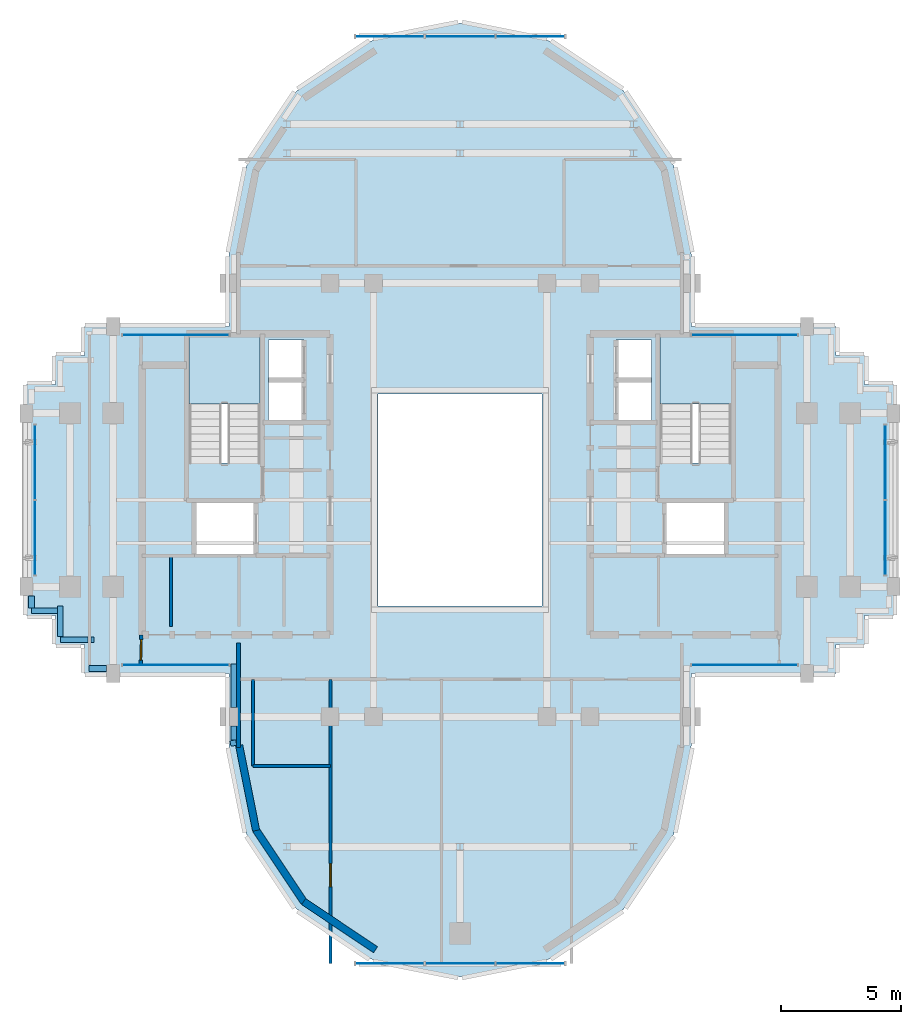
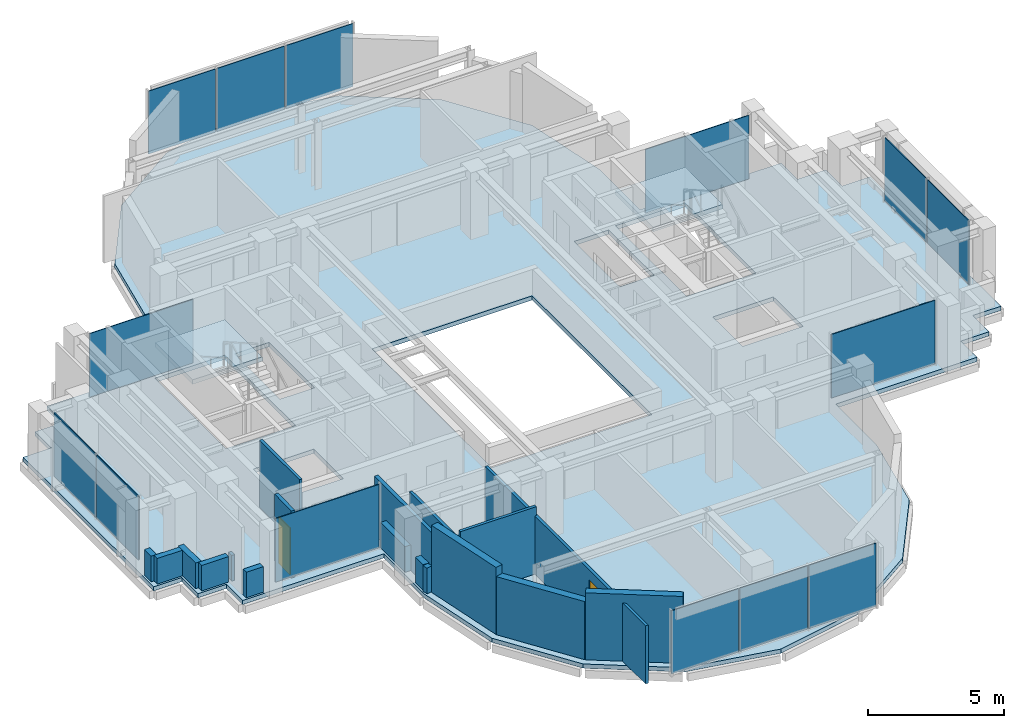
# One storey, part 7 of 12: 18 walls, 14 plates, 3 slabs, 2 doors, 2 openings, 10 elements without a shape of their own.
"""IFC4 building model written with IfcOpenShell, lengths in metres."""

from ifc_helpers import new_model, si_unit, direction, frame, frame_2d, origin, origin_2d, place, context, subcontext, project, spatial, polyline, rectangle, outline, extrude, source, transform, mapped, material, layer, layer_set, type_object, element, fill, aggregate, save


model = new_model("IFC4")

# Units and contexts
model_context = context("Model", 3, precision=1e-05, world=origin(), true_north=direction((0.0, 1.0)))
body_context = subcontext(model_context, "Body", "Model", "MODEL_VIEW")
ifc_project = project(units=[si_unit("LENGTHUNIT", "METRE"), si_unit("AREAUNIT", "SQUARE_METRE"), si_unit("VOLUMEUNIT", "CUBIC_METRE"), si_unit("PLANEANGLEUNIT", "RADIAN"), si_unit("MASSUNIT", "GRAM", prefix="KILO")], contexts=[model_context])

# Site, building, storey
site_placement = place(None, origin())
site = spatial("IfcSite", under=ifc_project, at=site_placement, CompositionType="ELEMENT")
building_placement = place(site_placement, origin())
building = spatial("IfcBuilding", under=site, at=building_placement, Name="Keilestroom Media Tower", CompositionType="ELEMENT")
storey_placement = place(building_placement, frame((0.0, 0.0, 226.800048828125)))
storey = spatial("IfcBuildingStorey", under=building, at=storey_placement, Name="L62", CompositionType="ELEMENT", Elevation=226.800048828125)

# Slab
ifc_material_1 = material(Name="Concrete C50/60", Category="concrete")
ifc_layer_1 = layer(ifc_material_1, 0.18994140625)
ifc_layer_set_1 = layer_set([ifc_layer_1], Name="Concrete C50/60")
slab_type_1 = type_object("IfcSlabType", Name="Composite-Floor-Slab-190", PredefinedType="FLOOR", material=ifc_layer_set_1)
slab_1_placement = place(storey_placement, frame((0.0, 0.0, -0.18994140625)))
element("IfcSlab", 1, at=slab_1_placement, inside=storey, type_object=slab_type_1, Name="L62 Structural Composite Floor Slab", PredefinedType="FLOOR", context=body_context, shape_type="SweptSolid", body=[
    extrude(outline(polyline([(18.0, -4.800048828125), (18.0, 4.800048828125), (16.800048828125, 4.800048828125), (16.800048828125, 6.0), (15.60009765625, 6.0), (15.60009765625, 7.199951171875), (9.60009765625, 7.199951171875), (9.60009765625, 9.60009765625), (9.60009765625, 10.199951171875), (8.869140625, 13.873779296875), (6.7880859375, 16.98828125), (3.673828125, 19.069091796875), (0.0, 19.800048828125), (-3.673828125, 19.069091796875), (-6.7880859375, 16.98828125), (-8.869140625, 13.873779296875), (-9.60009765625, 10.199951171875), (-9.60009765625, 9.60009765625), (-9.60009765625, 7.199951171875), (-15.60009765625, 7.199951171875), (-15.60009765625, 6.0), (-16.800048828125, 6.0), (-16.800048828125, 4.800048828125), (-18.0, 4.800048828125), (-18.0, -4.800048828125), (-16.800048828125, -4.800048828125), (-16.800048828125, -6.0), (-15.60009765625, -6.0), (-15.60009765625, -7.199951171875), (-9.60009765625, -7.199951171875), (-9.60009765625, -9.60009765625), (-9.60009765625, -10.199951171875), (-8.869140625, -13.873779296875), (-6.7880859375, -16.98828125), (-3.673828125, -19.069091796875), (0.0, -19.800048828125), (3.673828125, -19.069091796875), (6.7880859375, -16.98828125), (8.869140625, -13.873779296875), (9.60009765625, -10.199951171875), (9.60009765625, -9.60009765625), (9.60009765625, -7.199951171875), (15.60009765625, -7.199951171875), (15.60009765625, -6.0), (16.800048828125, -6.0), (16.800048828125, -4.800048828125), (18.0, -4.800048828125)]), holes=[polyline([(-8.300048828125, 1.544921875), (-11.260009765625, 1.544921875), (-11.260009765625, 6.760009765625), (-8.300048828125, 6.760009765625), (-8.300048828125, 1.544921875)]), polyline([(-8.47998046875, -2.280029296875), (-11.050048828125, -2.280029296875), (-11.050048828125, -0.10009765625), (-8.47998046875, -0.10009765625), (-8.47998046875, -2.280029296875)]), polyline([(-6.47998046875, 3.300048828125), (-7.949951171875, 3.300048828125), (-7.949951171875, 6.64990234375), (-6.47998046875, 6.64990234375), (-6.47998046875, 3.300048828125)]), polyline([(3.39990234375, -4.39990234375), (-3.39990234375, -4.39990234375), (-3.39990234375, 4.39990234375), (3.39990234375, 4.39990234375), (3.39990234375, -4.39990234375)]), polyline([(7.949951171875, 3.300048828125), (6.47998046875, 3.300048828125), (6.47998046875, 6.64990234375), (7.949951171875, 6.64990234375), (7.949951171875, 3.300048828125)]), polyline([(11.260009765625, 1.544921875), (8.300048828125, 1.544921875), (8.300048828125, 6.760009765625), (11.260009765625, 6.760009765625), (11.260009765625, 1.544921875)]), polyline([(11.050048828125, -2.280029296875), (8.47998046875, -2.280029296875), (8.47998046875, -0.10009765625), (11.050048828125, -0.10009765625), (11.050048828125, -2.280029296875)])]), origin(), (0.0, 0.0, 1.0), 0.18994140625),
])

# Stair, slab
ifc_material_2 = material(Name="Concrete C45/55", Category="concrete")
stair_type = type_object("IfcStairType", Name="Enclosed-Dog-Leg-Stair-ST-CORE", PredefinedType="HALF_TURN_STAIR", material=ifc_material_2)
stair_1_placement = place(storey_placement, origin())
stair_1 = element("IfcStair", 2, at=stair_1_placement, inside=storey, type_object=stair_type, Name="L62 West Core Escape Stair ST-1", PredefinedType="HALF_TURN_STAIR")
ifc_layer_2 = layer(ifc_material_2, 0.199951171875)
ifc_layer_set_2 = layer_set([ifc_layer_2], Name="Concrete C45/55")
slab_type_2 = type_object("IfcSlabType", Name="Stair-Intermediate-And-Top-Landing-Slab-200", PredefinedType="LANDING", material=ifc_layer_set_2)
slab_2_placement = place(storey_placement, frame((0.0, 0.0, 1.39990234375)))
slab_2 = element("IfcSlab", 3, at=slab_2_placement, type_object=slab_type_2, Name="ST-1 landing 1", PredefinedType="LANDING", context=body_context, shape_type="SweptSolid", body=[
    extrude(outline(polyline([(-8.300048828125, 3.99609375), (-8.300048828125, 6.760009765625), (-11.260009765625, 6.760009765625), (-11.260009765625, 3.99609375), (-8.300048828125, 3.99609375)])), origin(), (0.0, 0.0, 1.0), 0.199951171875),
])
aggregate(stair_1, [slab_2])

stair_2_placement = place(storey_placement, origin())
stair_2 = element("IfcStair", 4, at=stair_2_placement, inside=storey, type_object=stair_type, Name="L62 East Core Escape Stair ST-2", PredefinedType="HALF_TURN_STAIR")
slab_3_placement = place(storey_placement, frame((0.0, 0.0, 1.39990234375)))
slab_3 = element("IfcSlab", 5, at=slab_3_placement, type_object=slab_type_2, Name="ST-2 landing 1", PredefinedType="LANDING", context=body_context, shape_type="SweptSolid", body=[
    extrude(outline(polyline([(11.260009765625, 3.99609375), (11.260009765625, 6.760009765625), (8.300048828125, 6.760009765625), (8.300048828125, 3.99609375), (11.260009765625, 3.99609375)])), origin(), (0.0, 0.0, 1.0), 0.199951171875),
])
aggregate(stair_2, [slab_3])

# Curtain wall, plates
ifc_material_3 = material(Name="Anodised Aluminium Alloy", Category="aluminium")
curtain_wall_type_1 = type_object("IfcCurtainWallType", Name="Unitised-Curtain-Wall-CW-6", PredefinedType="NOTDEFINED", material=ifc_material_3)
curtain_wall_1_placement = place(storey_placement, origin())
curtain_wall_1 = element("IfcCurtainWall", 6, at=curtain_wall_1_placement, inside=storey, type_object=curtain_wall_type_1, Name="L62 Curtain Wall CW-6 CW-L62-LN-1", PredefinedType="NOTDEFINED")
ifc_material_4 = material(Name="Curved-Facet Triple Glazed Unit", Category="glass")
ifc_layer_3 = layer(ifc_material_4, 0.033935546875)
ifc_layer_set_3 = layer_set([ifc_layer_3], Name="Curved-Facet Triple Glazed Unit")
plate_type_1 = type_object("IfcPlateType", Name="Insulated-Curtain-Wall-Glazing-Panel-CW-6", PredefinedType="CURTAIN_PANEL", material=ifc_layer_set_3)
shared_shape_1 = source(origin(), body_context, "Body", "SweptSolid", [
    extrude(rectangle(XDim=2.84375, YDim=0.033935546875, at=origin_2d()), origin(), (0.0, 0.0, 1.0), 2.833984375),
])
plate_1_placement = place(storey_placement, frame((-2.9169921875, 19.25, 0.072998046875), z_axis=(0.0, 0.0, 1.0), x_axis=(1.0, 0.0, 0.0)))
plate_1 = element("IfcPlate", 7, at=plate_1_placement, type_object=plate_type_1, Name="CW-6 Unitised Glazing 00", PredefinedType="CURTAIN_PANEL", context=body_context, shape_type="MappedRepresentation", body=[
    mapped(shared_shape_1, transform((0.0, 0.0, 0.0), x_axis=(1.0, 0.0, 0.0), y_axis=(0.0, 1.0, 0.0), z_axis=(0.0, 0.0, 1.0), scale=1.0)),
])
plate_2_placement = place(storey_placement, frame((2.9169921875, 19.25, 0.072998046875), z_axis=(0.0, 0.0, 1.0), x_axis=(1.0, 0.0, 0.0)))
plate_2 = element("IfcPlate", 8, at=plate_2_placement, type_object=plate_type_1, Name="CW-6 Unitised Glazing 02", PredefinedType="CURTAIN_PANEL", context=body_context, shape_type="MappedRepresentation", body=[
    mapped(shared_shape_1, transform((0.0, 0.0, 0.0), x_axis=(1.0, 0.0, 0.0), y_axis=(0.0, 1.0, 0.0), z_axis=(0.0, 0.0, 1.0), scale=1.0)),
])

curtain_wall_2_placement = place(storey_placement, origin())
curtain_wall_2 = element("IfcCurtainWall", 9, at=curtain_wall_2_placement, inside=storey, type_object=curtain_wall_type_1, Name="L62 Curtain Wall CW-6 CW-L62-LS-1", PredefinedType="NOTDEFINED")
plate_3_placement = place(storey_placement, frame((-2.9169921875, -19.25, 0.072998046875), z_axis=(0.0, 0.0, 1.0), x_axis=(1.0, 0.0, 0.0)))
plate_3 = element("IfcPlate", 10, at=plate_3_placement, type_object=plate_type_1, Name="CW-6 Unitised Glazing 00", PredefinedType="CURTAIN_PANEL", context=body_context, shape_type="MappedRepresentation", body=[
    mapped(shared_shape_1, transform((0.0, 0.0, 0.0), x_axis=(1.0, 0.0, 0.0), y_axis=(0.0, 1.0, 0.0), z_axis=(0.0, 0.0, 1.0), scale=1.0)),
])
plate_4_placement = place(storey_placement, frame((2.9169921875, -19.25, 0.072998046875), z_axis=(0.0, 0.0, 1.0), x_axis=(1.0, 0.0, 0.0)))
plate_4 = element("IfcPlate", 11, at=plate_4_placement, type_object=plate_type_1, Name="CW-6 Unitised Glazing 02", PredefinedType="CURTAIN_PANEL", context=body_context, shape_type="MappedRepresentation", body=[
    mapped(shared_shape_1, transform((0.0, 0.0, 0.0), x_axis=(1.0, 0.0, 0.0), y_axis=(0.0, 1.0, 0.0), z_axis=(0.0, 0.0, 1.0), scale=1.0)),
])

# Plate
shared_shape_2 = source(origin(), body_context, "Body", "SweptSolid", [
    extrude(rectangle(XDim=2.876220703125, YDim=0.033935546875, at=origin_2d()), origin(), (0.0, 0.0, 1.0), 2.833984375),
])
plate_5_placement = place(storey_placement, frame((0.0, 19.25, 0.072998046875), z_axis=(0.0, 0.0, 1.0), x_axis=(1.0, 0.0, 0.0)))
plate_5 = element("IfcPlate", 12, at=plate_5_placement, type_object=plate_type_1, Name="CW-6 Unitised Glazing 01", PredefinedType="CURTAIN_PANEL", context=body_context, shape_type="MappedRepresentation", body=[
    mapped(shared_shape_2, transform((0.0, 0.0, 0.0), x_axis=(1.0, 0.0, 0.0), y_axis=(0.0, 1.0, 0.0), z_axis=(0.0, 0.0, 1.0), scale=1.0)),
])

aggregate(curtain_wall_1, [plate_1, plate_5, plate_2])

plate_6_placement = place(storey_placement, frame((0.0, -19.25, 0.072998046875), z_axis=(0.0, 0.0, 1.0), x_axis=(1.0, 0.0, 0.0)))
plate_6 = element("IfcPlate", 13, at=plate_6_placement, type_object=plate_type_1, Name="CW-6 Unitised Glazing 01", PredefinedType="CURTAIN_PANEL", context=body_context, shape_type="MappedRepresentation", body=[
    mapped(shared_shape_2, transform((0.0, 0.0, 0.0), x_axis=(1.0, 0.0, 0.0), y_axis=(0.0, 1.0, 0.0), z_axis=(0.0, 0.0, 1.0), scale=1.0)),
])

aggregate(curtain_wall_2, [plate_3, plate_6, plate_4])

# Curtain wall, plates
curtain_wall_type_2 = type_object("IfcCurtainWallType", Name="Unitised-Curtain-Wall-CW-4", PredefinedType="NOTDEFINED", material=ifc_material_3)
curtain_wall_3_placement = place(storey_placement, origin())
curtain_wall_3 = element("IfcCurtainWall", 14, at=curtain_wall_3_placement, inside=storey, type_object=curtain_wall_type_2, Name="L62 Curtain Wall CW-4 CW-L62-W-1", PredefinedType="NOTDEFINED")
ifc_material_5 = material(Name="Triple Glazed Solar-Control Unit", Category="glass")
ifc_layer_4 = layer(ifc_material_5, 0.035888671875)
ifc_layer_set_4 = layer_set([ifc_layer_4], Name="Triple Glazed Solar-Control Unit")
plate_type_2 = type_object("IfcPlateType", Name="Insulated-Curtain-Wall-Glazing-Panel-CW-4", PredefinedType="CURTAIN_PANEL", material=ifc_layer_set_4)
shared_shape_3 = source(origin(), body_context, "Body", "SweptSolid", [
    extrude(rectangle(XDim=3.0830078125, YDim=0.035888671875, at=origin_2d()), origin(), (0.0, 0.0, 1.0), 2.85400390625),
])
plate_7_placement = place(storey_placement, frame((-17.64990234375, -1.5673828125, 0.06298828125), z_axis=(0.0, 0.0, 1.0), x_axis=(0.0, 1.0, 0.0)))
plate_7 = element("IfcPlate", 15, at=plate_7_placement, type_object=plate_type_2, Name="CW-4 Unitised Glazing 00", PredefinedType="CURTAIN_PANEL", context=body_context, shape_type="MappedRepresentation", body=[
    mapped(shared_shape_3, transform((0.0, 0.0, 0.0), x_axis=(1.0, 0.0, 0.0), y_axis=(0.0, 1.0, 0.0), z_axis=(0.0, 0.0, 1.0), scale=1.0)),
])
plate_8_placement = place(storey_placement, frame((-17.64990234375, 1.5673828125, 0.06298828125), z_axis=(0.0, 0.0, 1.0), x_axis=(0.0, 1.0, 0.0)))
plate_8 = element("IfcPlate", 16, at=plate_8_placement, type_object=plate_type_2, Name="CW-4 Unitised Glazing 01", PredefinedType="CURTAIN_PANEL", context=body_context, shape_type="MappedRepresentation", body=[
    mapped(shared_shape_3, transform((0.0, 0.0, 0.0), x_axis=(1.0, 0.0, 0.0), y_axis=(0.0, 1.0, 0.0), z_axis=(0.0, 0.0, 1.0), scale=1.0)),
])
aggregate(curtain_wall_3, [plate_7, plate_8])

curtain_wall_4_placement = place(storey_placement, origin())
curtain_wall_4 = element("IfcCurtainWall", 17, at=curtain_wall_4_placement, inside=storey, type_object=curtain_wall_type_2, Name="L62 Curtain Wall CW-4 CW-L62-E-1", PredefinedType="NOTDEFINED")
plate_9_placement = place(storey_placement, frame((17.64990234375, -1.5673828125, 0.06298828125), z_axis=(0.0, 0.0, 1.0), x_axis=(0.0, 1.0, 0.0)))
plate_9 = element("IfcPlate", 18, at=plate_9_placement, type_object=plate_type_2, Name="CW-4 Unitised Glazing 00", PredefinedType="CURTAIN_PANEL", context=body_context, shape_type="MappedRepresentation", body=[
    mapped(shared_shape_3, transform((0.0, 0.0, 0.0), x_axis=(1.0, 0.0, 0.0), y_axis=(0.0, 1.0, 0.0), z_axis=(0.0, 0.0, 1.0), scale=1.0)),
])
plate_10_placement = place(storey_placement, frame((17.64990234375, 1.5673828125, 0.06298828125), z_axis=(0.0, 0.0, 1.0), x_axis=(0.0, 1.0, 0.0)))
plate_10 = element("IfcPlate", 19, at=plate_10_placement, type_object=plate_type_2, Name="CW-4 Unitised Glazing 01", PredefinedType="CURTAIN_PANEL", context=body_context, shape_type="MappedRepresentation", body=[
    mapped(shared_shape_3, transform((0.0, 0.0, 0.0), x_axis=(1.0, 0.0, 0.0), y_axis=(0.0, 1.0, 0.0), z_axis=(0.0, 0.0, 1.0), scale=1.0)),
])
aggregate(curtain_wall_4, [plate_9, plate_10])

# Curtain wall, plate
curtain_wall_5_placement = place(storey_placement, origin())
curtain_wall_5 = element("IfcCurtainWall", 20, at=curtain_wall_5_placement, inside=storey, type_object=curtain_wall_type_2, Name="L62 Curtain Wall CW-4 CW-L62-NW-1", PredefinedType="NOTDEFINED")
shared_shape_4 = source(origin(), body_context, "Body", "SweptSolid", [
    extrude(rectangle(XDim=4.403076171875, YDim=0.035888671875, at=origin_2d()), origin(), (0.0, 0.0, 1.0), 2.85400390625),
])
plate_11_placement = place(storey_placement, frame((-11.8076171875, 6.85009765625, 0.06298828125), z_axis=(0.0, 0.0, 1.0), x_axis=(1.0, 0.0, 0.0)))
plate_11 = element("IfcPlate", 21, at=plate_11_placement, type_object=plate_type_2, Name="CW-4 Unitised Glazing 00", PredefinedType="CURTAIN_PANEL", context=body_context, shape_type="MappedRepresentation", body=[
    mapped(shared_shape_4, transform((0.0, 0.0, 0.0), x_axis=(1.0, 0.0, 0.0), y_axis=(0.0, 1.0, 0.0), z_axis=(0.0, 0.0, 1.0), scale=1.0)),
])
aggregate(curtain_wall_5, [plate_11])

curtain_wall_6_placement = place(storey_placement, origin())
curtain_wall_6 = element("IfcCurtainWall", 22, at=curtain_wall_6_placement, inside=storey, type_object=curtain_wall_type_2, Name="L62 Curtain Wall CW-4 CW-L62-NE-1", PredefinedType="NOTDEFINED")
plate_12_placement = place(storey_placement, frame((11.8076171875, 6.85009765625, 0.06298828125), z_axis=(0.0, 0.0, 1.0), x_axis=(1.0, 0.0, 0.0)))
plate_12 = element("IfcPlate", 23, at=plate_12_placement, type_object=plate_type_2, Name="CW-4 Unitised Glazing 00", PredefinedType="CURTAIN_PANEL", context=body_context, shape_type="MappedRepresentation", body=[
    mapped(shared_shape_4, transform((0.0, 0.0, 0.0), x_axis=(1.0, 0.0, 0.0), y_axis=(0.0, 1.0, 0.0), z_axis=(0.0, 0.0, 1.0), scale=1.0)),
])
aggregate(curtain_wall_6, [plate_12])

curtain_wall_7_placement = place(storey_placement, origin())
curtain_wall_7 = element("IfcCurtainWall", 24, at=curtain_wall_7_placement, inside=storey, type_object=curtain_wall_type_2, Name="L62 Curtain Wall CW-4 CW-L62-SW-1", PredefinedType="NOTDEFINED")
plate_13_placement = place(storey_placement, frame((-11.8076171875, -6.85009765625, 0.06298828125), z_axis=(0.0, 0.0, 1.0), x_axis=(1.0, 0.0, 0.0)))
plate_13 = element("IfcPlate", 25, at=plate_13_placement, type_object=plate_type_2, Name="CW-4 Unitised Glazing 00", PredefinedType="CURTAIN_PANEL", context=body_context, shape_type="MappedRepresentation", body=[
    mapped(shared_shape_4, transform((0.0, 0.0, 0.0), x_axis=(1.0, 0.0, 0.0), y_axis=(0.0, 1.0, 0.0), z_axis=(0.0, 0.0, 1.0), scale=1.0)),
])
aggregate(curtain_wall_7, [plate_13])

curtain_wall_8_placement = place(storey_placement, origin())
curtain_wall_8 = element("IfcCurtainWall", 26, at=curtain_wall_8_placement, inside=storey, type_object=curtain_wall_type_2, Name="L62 Curtain Wall CW-4 CW-L62-SE-1", PredefinedType="NOTDEFINED")
plate_14_placement = place(storey_placement, frame((11.8076171875, -6.85009765625, 0.06298828125), z_axis=(0.0, 0.0, 1.0), x_axis=(1.0, 0.0, 0.0)))
plate_14 = element("IfcPlate", 27, at=plate_14_placement, type_object=plate_type_2, Name="CW-4 Unitised Glazing 00", PredefinedType="CURTAIN_PANEL", context=body_context, shape_type="MappedRepresentation", body=[
    mapped(shared_shape_4, transform((0.0, 0.0, 0.0), x_axis=(1.0, 0.0, 0.0), y_axis=(0.0, 1.0, 0.0), z_axis=(0.0, 0.0, 1.0), scale=1.0)),
])
aggregate(curtain_wall_8, [plate_14])

# Walls
ifc_material_6 = material(Name="Precast concrete C40/50", Category="concrete")
ifc_layer_5 = layer(ifc_material_6, 0.300048828125)
ifc_layer_set_5 = layer_set([ifc_layer_5], Name="Precast concrete C40/50")
wall_type_1 = type_object("IfcWallType", Name="Exterior-Masonry-Spandrel-Wall-300", PredefinedType="SOLIDWALL", material=ifc_layer_set_5)
wall_1_placement = place(storey_placement, frame((-9.1748046875, -10.185302734375, 0.0), z_axis=(0.0, 0.0, 1.0), x_axis=(0.195114232679, -0.980780523974, 0.0)))
element("IfcWall", 28, at=wall_1_placement, inside=storey, type_object=wall_type_1, Name="L62 Lobe Facet Precast Frame Wall 07", PredefinedType="SOLIDWALL", context=body_context, shape_type="SweptSolid", body=[
    extrude(rectangle(XDim=3.608642578125, YDim=0.300048828125, at=frame_2d((1.80419921875, 0.0))), origin(), (0.0, 0.0, 1.0), 3.010009765625),
])
wall_2_placement = place(storey_placement, frame((-8.48193359375, -13.697509765625, 0.0), z_axis=(0.0, 0.0, 1.0), x_axis=(0.555574187116, -0.831466970246, 0.0)))
element("IfcWall", 29, at=wall_2_placement, inside=storey, type_object=wall_type_1, Name="L62 Lobe Facet Precast Frame Wall 08", PredefinedType="SOLIDWALL", context=body_context, shape_type="SweptSolid", body=[
    extrude(rectangle(XDim=3.608642578125, YDim=0.300048828125, at=frame_2d((1.80419921875, 0.0))), origin(), (0.0, 0.0, 1.0), 2.60986328125),
])
wall_3_placement = place(storey_placement, frame((-6.497802734375, -16.677001953125, 0.0), z_axis=(0.0, 0.0, 1.0), x_axis=(0.831443568068, -0.555609208993, 0.0)))
element("IfcWall", 30, at=wall_3_placement, inside=storey, type_object=wall_type_1, Name="L62 Lobe Facet Precast Frame Wall 09", PredefinedType="SOLIDWALL", context=body_context, shape_type="SweptSolid", body=[
    extrude(rectangle(XDim=3.593505859375, YDim=0.300048828125, at=frame_2d((1.796875, 0.0))), origin(), (0.0, 0.0, 1.0), 3.010009765625),
])
ifc_material_7 = material(Name="Gypsum Plasterboard & Steel Stud", Category="steel")
ifc_layer_6 = layer(ifc_material_7, 0.1201171875)
ifc_layer_set_6 = layer_set([ifc_layer_6], Name="Gypsum Plasterboard & Steel Stud")
wall_type_2 = type_object("IfcWallType", Name="Interior-Partition-Wall-120", PredefinedType="PARTITIONING", material=ifc_layer_set_6)
wall_4_placement = place(storey_placement, frame((-12.010009765625, -5.260009765625, 0.0), z_axis=(0.0, 0.0, 1.0), x_axis=(0.0, 1.0, 0.0)))
element("IfcWall", 31, at=wall_4_placement, inside=storey, type_object=wall_type_2, Name="L62 Interior Wall WP-L62-RECLW-M", PredefinedType="PARTITIONING", context=body_context, shape_type="SweptSolid", body=[
    extrude(rectangle(XDim=2.93994140625, YDim=0.1201171875, at=frame_2d((1.469970703125, 0.0))), origin(), (0.0, 0.0, 1.0), 3.010009765625),
])

# Wall, opening, door
wall_5_placement = place(storey_placement, frame((-5.3798828125, -19.25, 0.0), z_axis=(0.0, 0.0, 1.0), x_axis=(0.0, 1.0, 0.0)))
wall_5 = element("IfcWall", 32, at=wall_5_placement, inside=storey, type_object=wall_type_2, Name="L62 Interior Wall WP-L62-SL-QV1", PredefinedType="PARTITIONING", context=body_context, shape_type="SweptSolid", body=[
    extrude(rectangle(XDim=11.800048828125, YDim=0.1201171875, at=frame_2d((5.89990234375, 0.0))), origin(), (0.0, 0.0, 1.0), 2.60986328125),
])
opening_1_placement = place(wall_5_placement, frame((3.199951171875, 0.0, 0.0)))
opening_1 = element("IfcOpeningElement", 33, at=opening_1_placement, cuts=wall_5, Name="Opening DI-03", PredefinedType="OPENING", context=body_context, shape_type="SweptSolid", body=[
    extrude(rectangle(XDim=0.949951171875, YDim=2.14990234375, at=frame_2d((0.47509765625, 1.074951171875))), frame((0.0, 0.070068359375, 0.0), z_axis=(0.0, -1.0, 0.0), x_axis=(1.0, 0.0, 0.0)), (0.0, 0.0, 1.0), 0.14013671875),
])
ifc_material_8 = material(Name="Lacquered European Oak Leaf", Category="wood")
door_type_1 = type_object("IfcDoorType", Name="Interior-Room-And-Suite-Door-DI-03", OperationType="NOTDEFINED", PredefinedType="DOOR", material=ifc_material_8)
shared_shape_5 = source(origin(), body_context, "Body", "SweptSolid", [
    extrude(rectangle(XDim=0.949951171875, YDim=2.14990234375, at=frame_2d((0.47509765625, 1.074951171875))), frame((0.0, 0.02490234375, 0.0), z_axis=(0.0, -1.0, 0.0), x_axis=(1.0, 0.0, 0.0)), (0.0, 0.0, 1.0), 0.050048828125),
])
door_1_placement = place(opening_1_placement, origin())
door_1 = element("IfcDoor", 34, at=door_1_placement, inside=storey, type_object=door_type_1, Name="L62 Interior Door DI-L62-DSL-Q1", OperationType="SINGLE_SWING_LEFT", OverallHeight=2.14990234375, OverallWidth=0.949951171875, PredefinedType="DOOR", context=body_context, shape_type="MappedRepresentation", body=[
    mapped(shared_shape_5, transform((0.0, 0.0, 0.0), x_axis=(1.0, 0.0, 0.0), y_axis=(0.0, 1.0, 0.0), z_axis=(0.0, 0.0, 1.0), scale=1.0)),
])
fill(opening_1, door_1)

# Walls
wall_6_placement = place(storey_placement, frame((-8.60009765625, -11.050048828125, 0.0), z_axis=(0.0, 0.0, 1.0), x_axis=(1.0, 0.0, 0.0)))
element("IfcWall", 35, at=wall_6_placement, inside=storey, type_object=wall_type_2, Name="L62 Interior Wall WP-L62-SL-WC3-S", PredefinedType="PARTITIONING", context=body_context, shape_type="SweptSolid", body=[
    extrude(rectangle(XDim=3.22021484375, YDim=0.1201171875, at=frame_2d((1.610107421875, 0.0))), origin(), (0.0, 0.0, 1.0), 3.010009765625),
])
wall_7_placement = place(storey_placement, frame((-8.60009765625, -11.050048828125, 0.0), z_axis=(0.0, 0.0, 1.0), x_axis=(0.0, 1.0, 0.0)))
element("IfcWall", 36, at=wall_7_placement, inside=storey, type_object=wall_type_2, Name="L62 Interior Wall WP-L62-SL-WC3-W", PredefinedType="PARTITIONING", context=body_context, shape_type="SweptSolid", body=[
    extrude(rectangle(XDim=3.60009765625, YDim=0.1201171875, at=frame_2d((1.800048828125, 0.0))), origin(), (0.0, 0.0, 1.0), 2.60986328125),
])
ifc_layer_7 = layer(ifc_material_7, 0.14990234375)
ifc_layer_set_7 = layer_set([ifc_layer_7], Name="Gypsum Plasterboard & Steel Stud")
wall_type_3 = type_object("IfcWallType", Name="Interior-Partition-Wall-150", PredefinedType="PARTITIONING", material=ifc_layer_set_7)
wall_8_placement = place(storey_placement, frame((-9.199951171875, -10.280029296875, 0.0), z_axis=(0.0, 0.0, 1.0), x_axis=(0.0, 1.0, 0.0)))
element("IfcWall", 37, at=wall_8_placement, inside=storey, type_object=wall_type_3, Name="L62 Interior Wall WP-L62-SL-CHKW", PredefinedType="PARTITIONING", context=body_context, shape_type="SweptSolid", body=[
    extrude(rectangle(XDim=4.340087890625, YDim=0.14990234375, at=frame_2d((2.169921875, 0.0))), origin(), (0.0, 0.0, 1.0), 2.60986328125),
])

# Wall, opening, door
wall_9_placement = place(storey_placement, frame((-13.260009765625, -6.85009765625, 0.0), z_axis=(0.0, 0.0, 1.0), x_axis=(0.016013571389, 0.999871774545, 0.0)))
wall_9 = element("IfcWall", 38, at=wall_9_placement, inside=storey, type_object=wall_type_3, Name="L62 Interior Wall WP-L62-WA-ENTS", PredefinedType="PARTITIONING", context=body_context, shape_type="SweptSolid", body=[
    extrude(rectangle(XDim=1.250244140625, YDim=0.14990234375, at=frame_2d((0.625, 0.0))), origin(), (0.0, 0.0, 1.0), 3.010009765625),
])
opening_2_placement = place(wall_9_placement, frame((0.199951171875, 0.0, 0.0)))
opening_2 = element("IfcOpeningElement", 39, at=opening_2_placement, cuts=wall_9, Name="Opening DI-05", PredefinedType="OPENING", context=body_context, shape_type="SweptSolid", body=[
    extrude(rectangle(XDim=0.85009765625, YDim=2.10009765625, at=frame_2d((0.425048828125, 1.050048828125))), frame((0.0, 0.0849609375, 0.0), z_axis=(0.0, -1.0, 0.0), x_axis=(1.0, 0.0, 0.0)), (0.0, 0.0, 1.0), 0.169921875),
])
ifc_material_9 = material(Name="Moisture-Resistant Oak Leaf", Category="wood")
door_type_2 = type_object("IfcDoorType", Name="Interior-En-Suite-And-Cupboard-Door-DI-05", OperationType="NOTDEFINED", PredefinedType="DOOR", material=ifc_material_9)
shared_shape_6 = source(origin(), body_context, "Body", "SweptSolid", [
    extrude(rectangle(XDim=0.85009765625, YDim=2.10009765625, at=frame_2d((0.425048828125, 1.050048828125))), frame((0.0, 0.02490234375, 0.0), z_axis=(0.0, -1.0, 0.0), x_axis=(1.0, 0.0, 0.0)), (0.0, 0.0, 1.0), 0.050048828125),
])
door_2_placement = place(opening_2_placement, origin())
door_2 = element("IfcDoor", 40, at=door_2_placement, inside=storey, type_object=door_type_2, Name="L62 Interior Door DI-L62-DWA-E", OperationType="SINGLE_SWING_LEFT", OverallHeight=2.10009765625, OverallWidth=0.85009765625, PredefinedType="DOOR", context=body_context, shape_type="MappedRepresentation", body=[
    mapped(shared_shape_6, transform((0.0, 0.0, 0.0), x_axis=(1.0, 0.0, 0.0), y_axis=(0.0, 1.0, 0.0), z_axis=(0.0, 0.0, 1.0), scale=1.0)),
])
fill(opening_2, door_2)

# Walls
ifc_layer_8 = layer(ifc_material_6, 0.239990234375)
ifc_layer_set_8 = layer_set([ifc_layer_8], Name="Precast concrete C40/50")
wall_type_4 = type_object("IfcWallType", Name="Roof-And-Terrace-Parapet-Wall-240", PredefinedType="PARAPET", material=ifc_layer_set_8)
wall_10_placement = place(storey_placement, frame((-9.395263671875, -10.2041015625, 0.0), z_axis=(0.0, 0.0, 1.0), x_axis=(-0.194859894132, 0.980831087221, 0.0)))
element("IfcWall", 41, at=wall_10_placement, inside=storey, type_object=wall_type_4, Name="L62 Perimeter Edge Parapet Wall 09", PredefinedType="PARAPET", context=body_context, shape_type="SweptSolid", body=[
    extrude(rectangle(XDim=0.224365234375, YDim=0.239990234375, at=frame_2d((0.1123046875, 0.0))), origin(), (0.0, 0.0, 1.0), 1.14990234375),
])
wall_11_placement = place(storey_placement, frame((-9.39990234375, -9.957763671875, 0.0), z_axis=(0.0, 0.0, 1.0), x_axis=(0.0, 1.0, 0.0)))
element("IfcWall", 42, at=wall_11_placement, inside=storey, type_object=wall_type_4, Name="L62 Perimeter Edge Parapet Wall 10", PredefinedType="PARAPET", context=body_context, shape_type="SweptSolid", body=[
    extrude(rectangle(XDim=0.579833984375, YDim=0.239990234375, at=frame_2d((0.2900390625, 0.0))), origin(), (0.0, 0.0, 1.0), 1.14990234375),
])
wall_12_placement = place(storey_placement, frame((-9.39990234375, -8.6220703125, 0.0), z_axis=(0.0, 0.0, 1.0), x_axis=(0.0, 1.0, 0.0)))
element("IfcWall", 43, at=wall_12_placement, inside=storey, type_object=wall_type_4, Name="L62 Perimeter Edge Parapet Wall 11", PredefinedType="PARAPET", context=body_context, shape_type="SweptSolid", body=[
    extrude(rectangle(XDim=1.802978515625, YDim=0.239990234375, at=frame_2d((0.9013671875, 0.0))), origin(), (0.0, 0.0, 1.0), 1.14990234375),
])
wall_13_placement = place(storey_placement, frame((-14.677978515625, -7.0, 0.0), z_axis=(0.0, 0.0, 1.0), x_axis=(-1.0, 0.0, 0.0)))
element("IfcWall", 44, at=wall_13_placement, inside=storey, type_object=wall_type_4, Name="L62 Perimeter Edge Parapet Wall 12", PredefinedType="PARAPET", context=body_context, shape_type="SweptSolid", body=[
    extrude(rectangle(XDim=0.721923828125, YDim=0.239990234375, at=frame_2d((0.36083984375, 0.0))), origin(), (0.0, 0.0, 1.0), 1.14990234375),
])
wall_14_placement = place(storey_placement, frame((-15.199951171875, -5.800048828125, 0.0), z_axis=(0.0, 0.0, 1.0), x_axis=(-1.0, 0.0, 0.0)))
element("IfcWall", 45, at=wall_14_placement, inside=storey, type_object=wall_type_4, Name="L62 Perimeter Edge Parapet Wall 13", PredefinedType="PARAPET", context=body_context, shape_type="SweptSolid", body=[
    extrude(rectangle(XDim=0.126953125, YDim=0.239990234375, at=frame_2d((0.0634765625, 0.0))), origin(), (0.0, 0.0, 1.0), 1.14990234375),
])
wall_15_placement = place(storey_placement, frame((-15.452880859375, -5.800048828125, 0.0), z_axis=(0.0, 0.0, 1.0), x_axis=(-1.0, 0.0, 0.0)))
element("IfcWall", 46, at=wall_15_placement, inside=storey, type_object=wall_type_4, Name="L62 Perimeter Edge Parapet Wall 14", PredefinedType="PARAPET", context=body_context, shape_type="SweptSolid", body=[
    extrude(rectangle(XDim=1.147216796875, YDim=0.239990234375, at=frame_2d((0.57373046875, 0.0))), origin(), (0.0, 0.0, 1.0), 1.14990234375),
])
wall_16_placement = place(storey_placement, frame((-16.60009765625, -5.677001953125, 0.0), z_axis=(0.0, 0.0, 1.0), x_axis=(0.0, 1.0, 0.0)))
element("IfcWall", 47, at=wall_16_placement, inside=storey, type_object=wall_type_4, Name="L62 Perimeter Edge Parapet Wall 15", PredefinedType="PARAPET", context=body_context, shape_type="SweptSolid", body=[
    extrude(rectangle(XDim=1.277099609375, YDim=0.239990234375, at=frame_2d((0.638671875, 0.0))), origin(), (0.0, 0.0, 1.0), 1.14990234375),
])
wall_17_placement = place(storey_placement, frame((-16.722900390625, -4.60009765625, 0.0), z_axis=(0.0, 0.0, 1.0), x_axis=(-1.0, 0.0, 0.0)))
element("IfcWall", 48, at=wall_17_placement, inside=storey, type_object=wall_type_4, Name="L62 Perimeter Edge Parapet Wall 16", PredefinedType="PARAPET", context=body_context, shape_type="SweptSolid", body=[
    extrude(rectangle(XDim=1.0771484375, YDim=0.239990234375, at=frame_2d((0.53857421875, 0.0))), origin(), (0.0, 0.0, 1.0), 1.14990234375),
])
wall_18_placement = place(storey_placement, frame((-17.800048828125, -4.47705078125, 0.0), z_axis=(0.0, 0.0, 1.0), x_axis=(0.0, 1.0, 0.0)))
element("IfcWall", 49, at=wall_18_placement, inside=storey, type_object=wall_type_4, Name="L62 Perimeter Edge Parapet Wall 17", PredefinedType="PARAPET", context=body_context, shape_type="SweptSolid", body=[
    extrude(rectangle(XDim=0.4990234375, YDim=0.239990234375, at=frame_2d((0.24951171875, 0.0))), origin(), (0.0, 0.0, 1.0), 1.14990234375),
])

save(model, "model.ifc")
